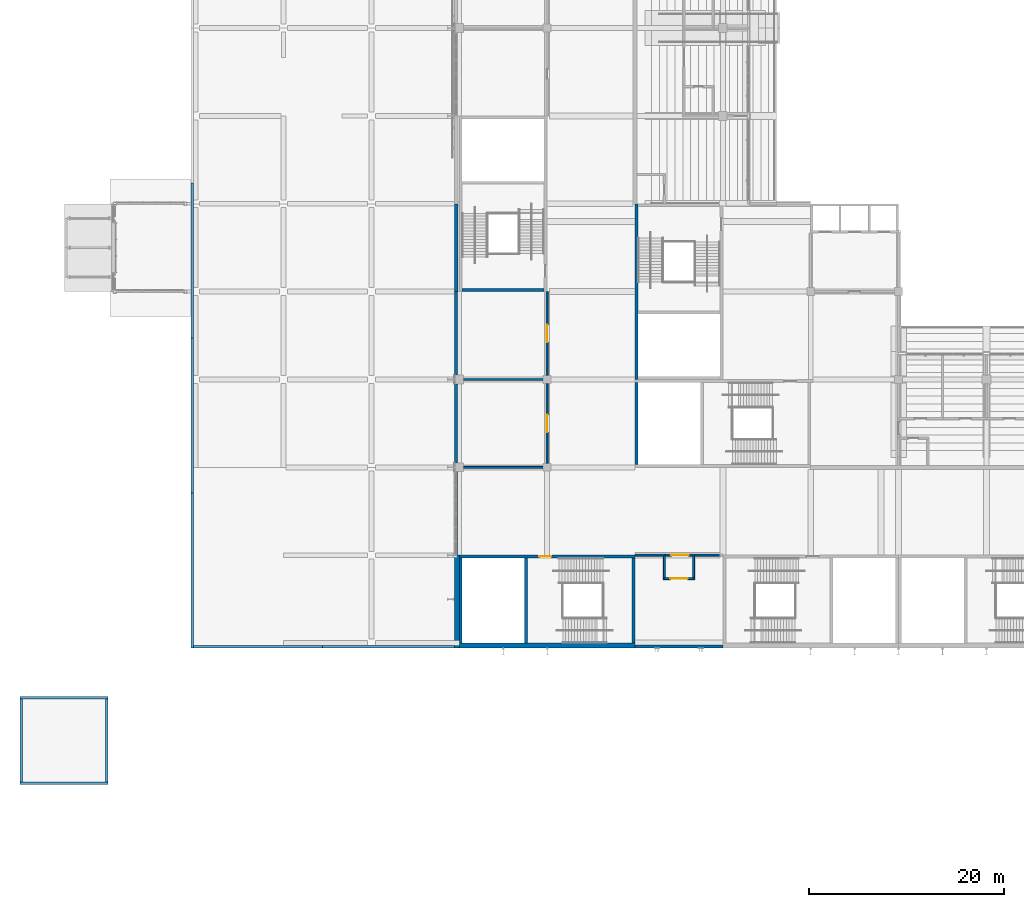
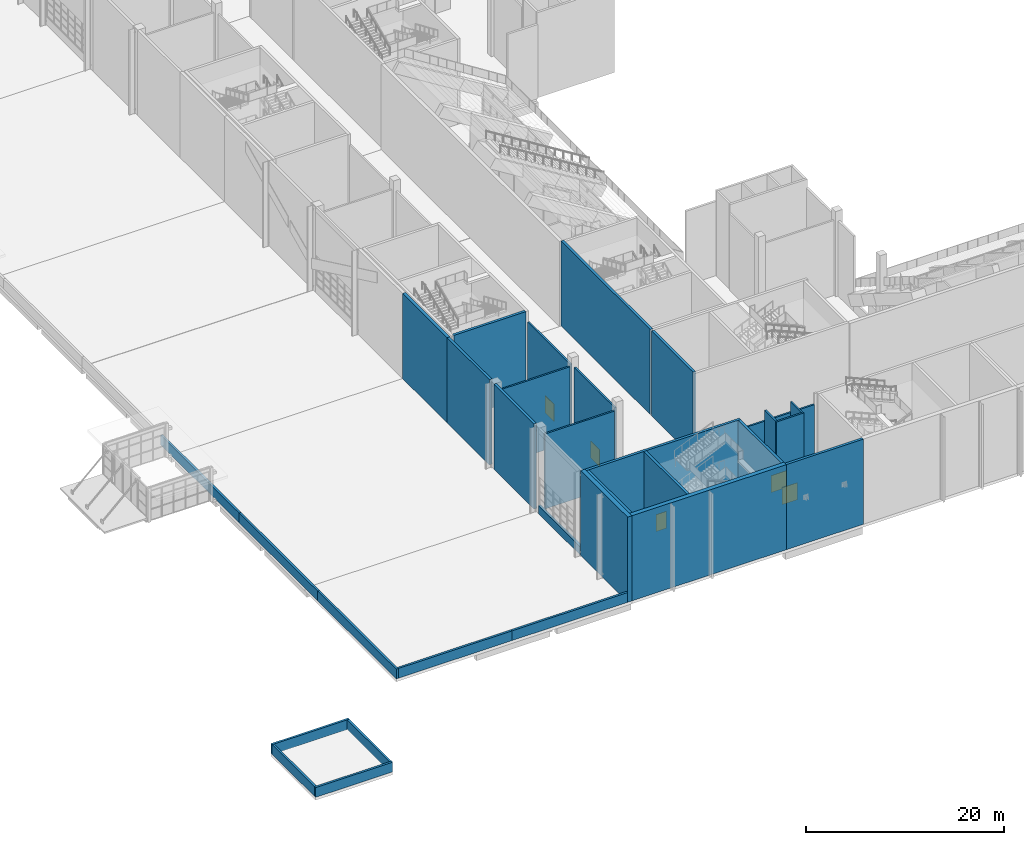
# One storey, part 80 of 182: 33 walls, 5 doors, 5 openings.
"""IFC4 building model written with IfcOpenShell, lengths in metres."""

from ifc_helpers import new_model, si_unit, direction, frame, frame_2d, origin, place, context, subcontext, project, spatial, rectangle, extrude, material, layer, layer_set, type_object, element, fill, save


model = new_model("IFC4")

# Units and contexts
model_context = context("Model", 3, precision=1e-05, world=origin(), true_north=direction((0.0, 1.0)))
body_context = subcontext(model_context, "Body", "Model", "MODEL_VIEW")
ifc_project = project(units=[si_unit("LENGTHUNIT", "METRE"), si_unit("AREAUNIT", "SQUARE_METRE"), si_unit("VOLUMEUNIT", "CUBIC_METRE"), si_unit("PLANEANGLEUNIT", "RADIAN"), si_unit("MASSUNIT", "GRAM", prefix="KILO")], contexts=[model_context])

# Site, building, storey
site_placement = place(None, origin())
site = spatial("IfcSite", under=ifc_project, at=site_placement, CompositionType="ELEMENT")
building_placement = place(site_placement, origin())
building = spatial("IfcBuilding", under=site, at=building_placement, Name="Silverbay Arena", CompositionType="ELEMENT")
storey_placement = place(building_placement, frame((0.0, 0.0, 11.5)))
storey = spatial("IfcBuildingStorey", under=building, at=storey_placement, Name="L02", CompositionType="ELEMENT", Elevation=11.5)

# Walls
ifc_material_1 = material(Name="Concrete Grade C45 precast, light finish", Category="concrete")
ifc_layer_1 = layer(ifc_material_1, 0.300048828125)
ifc_layer_set_1 = layer_set([ifc_layer_1], Name="Concrete Grade C45 precast, light finish")
wall_type_1 = type_object("IfcWallType", Name="Cladded external wall 300", PredefinedType="SOLIDWALL", material=ifc_layer_set_1)
wall_1_placement = place(storey_placement, frame((53.64990234375, 35.550048828125, 0.0), z_axis=(0.0, 0.0, 1.0), x_axis=(0.0, -1.0, 0.0)))
element("IfcWall", 1, at=wall_1_placement, inside=storey, type_object=wall_type_1, Name="West sill wall L02 bay 2", PredefinedType="SOLIDWALL", context=body_context, shape_type="SweptSolid", body=[
    extrude(rectangle(XDim=8.550048828125, YDim=0.300048828125, at=frame_2d((4.27490234375, 0.0))), origin(), (0.0, 0.0, 1.0), 1.0),
])
wall_2_placement = place(storey_placement, frame((53.64990234375, 44.550048828125, 0.0), z_axis=(0.0, 0.0, 1.0), x_axis=(0.0, -1.0, 0.0)))
element("IfcWall", 2, at=wall_2_placement, inside=storey, type_object=wall_type_1, Name="West external wall L02 bay 3", PredefinedType="SOLIDWALL", context=body_context, shape_type="SweptSolid", body=[
    extrude(rectangle(XDim=8.10009765625, YDim=0.300048828125, at=frame_2d((4.050048828125, 0.0))), origin(), (0.0, 0.0, 1.0), 10.5),
])
wall_3_placement = place(storey_placement, frame((53.64990234375, 54.0, 0.0), z_axis=(0.0, 0.0, 1.0), x_axis=(0.0, -1.0, 0.0)))
element("IfcWall", 3, at=wall_3_placement, inside=storey, type_object=wall_type_1, Name="West external wall L02 bay 4", PredefinedType="SOLIDWALL", context=body_context, shape_type="SweptSolid", body=[
    extrude(rectangle(XDim=8.550048828125, YDim=0.300048828125, at=frame_2d((4.27490234375, 0.0))), origin(), (0.0, 0.0, 1.0), 10.5),
])
ifc_material_2 = material(Name="Concrete Grade C45 precast, light finish", Category="concrete")
ifc_layer_2 = layer(ifc_material_2, 0.300048828125)
ifc_layer_set_2 = layer_set([ifc_layer_2], Name="Concrete Grade C45 precast, light finish")
wall_type_2 = type_object("IfcWallType", Name="Cladded external wall 300 EI 120", PredefinedType="SOLIDWALL", material=ifc_layer_set_2)
wall_4_placement = place(storey_placement, frame((72.0, 17.64990234375, 0.0), z_axis=(0.0, 0.0, 1.0), x_axis=(1.0, 0.0, 0.0)))
element("IfcWall", 4, at=wall_4_placement, inside=storey, type_object=wall_type_2, Name="South external wall L02 bay 3", PredefinedType="SOLIDWALL", context=body_context, shape_type="SweptSolid", body=[
    extrude(rectangle(XDim=9.0, YDim=0.300048828125, at=frame_2d((4.5, 0.0))), origin(), (0.0, 0.0, 1.0), 10.5),
])

# Wall, opening, door
ifc_material_3 = material(Name="Concrete Grade C45", Category="concrete")
ifc_layer_3 = layer(ifc_material_3, 0.300048828125)
ifc_layer_set_3 = layer_set([ifc_layer_3], Name="Concrete Grade C45")
wall_type_3 = type_object("IfcWallType", Name="Core wall RC 300 EI 120", PredefinedType="SHEAR", material=ifc_layer_set_3)
wall_5_placement = place(storey_placement, frame((72.0, 26.85009765625, 0.0), z_axis=(0.0, 0.0, 1.0), x_axis=(-1.0, 0.0, 0.0)))
wall_5 = element("IfcWall", 5, at=wall_5_placement, inside=storey, type_object=wall_type_3, Name="Core wall ST-S5 L02 door side", PredefinedType="SHEAR", context=body_context, shape_type="SweptSolid", body=[
    extrude(rectangle(XDim=18.0, YDim=0.300048828125, at=frame_2d((9.0, 0.0))), origin(), (0.0, 0.0, 1.0), 10.5),
])
opening_1_placement = place(wall_5_placement, frame((8.60009765625, 0.0, 0.0)))
opening_1 = element("IfcOpeningElement", 6, at=opening_1_placement, cuts=wall_5, Name="Opening L02-083", PredefinedType="OPENING", context=body_context, shape_type="SweptSolid", body=[
    extrude(rectangle(XDim=1.199951171875, YDim=2.10009765625, at=frame_2d((0.60009765625, 1.050048828125))), frame((0.0, 0.16015625, 0.0), z_axis=(0.0, -1.0, 0.0), x_axis=(1.0, 0.0, 0.0)), (0.0, 0.0, 1.0), 0.320068359375),
])
ifc_material_4 = material(Name="Steel fire door", Category="steel")
door_type_1 = type_object("IfcDoorType", Name="Stair door 1200 x 2100 fire door", OperationType="SINGLE_SWING_LEFT", PredefinedType="DOOR", material=ifc_material_4)
door_1_placement = place(opening_1_placement, origin())
door_1 = element("IfcDoor", 7, at=door_1_placement, inside=storey, type_object=door_type_1, Name="Stair door ST-S5 L02", OperationType="SINGLE_SWING_RIGHT", OverallHeight=2.10009765625, OverallWidth=1.199951171875, PredefinedType="DOOR", context=body_context, shape_type="SweptSolid", body=[
    extrude(rectangle(XDim=1.199951171875, YDim=2.10009765625, at=frame_2d((0.60009765625, 1.050048828125))), frame((0.0, 0.02490234375, 0.0), z_axis=(0.0, -1.0, 0.0), x_axis=(1.0, 0.0, 0.0)), (0.0, 0.0, 1.0), 0.050048828125),
])
fill(opening_1, door_1)

# Walls
for number, where, z_axis, x_axis, name in (
    (8, (71.85009765625, 26.699951171875, 0.0), (0.0, 0.0, 1.0), (0.0, -1.0, 0.0), "Core wall ST-S5 L02 end 1"),
    (9, (54.14990234375, 26.699951171875, 0.0), (0.0, 0.0, 1.0), (0.0, -1.0, 0.0), "Core wall ST-S5 L02 end 2"),
    (10, (60.85009765625, 26.699951171875, 0.0), (0.0, 0.0, 1.0), (0.0, -1.0, 0.0), "Core wall ST-S5 L02 stair enclosure"),
):
    element("IfcWall", number, at=place(storey_placement, frame(where, z_axis=z_axis, x_axis=x_axis)), inside=storey, type_object=wall_type_3, Name=name, PredefinedType="SHEAR", context=body_context, shape_type="SweptSolid", body=[
        extrude(rectangle(XDim=8.699951171875, YDim=0.300048828125, at=frame_2d((4.35009765625, 0.0))), origin(), (0.0, 0.0, 1.0), 10.5),
    ])
for number, where, z_axis, x_axis, name in (
    (11, (62.699951171875, 54.14990234375, 0.0), (0.0, 0.0, 1.0), (-1.0, 0.0, 0.0), "Core wall ST-W1 L02 end 1"),
    (12, (72.14990234375, 44.699951171875, 0.0), (0.0, 0.0, 1.0), (0.0, -1.0, 0.0), "Core wall ST-SW1 L02 end 2"),
):
    element("IfcWall", number, at=place(storey_placement, frame(where, z_axis=z_axis, x_axis=x_axis)), inside=storey, type_object=wall_type_3, Name=name, PredefinedType="SHEAR", context=body_context, shape_type="SweptSolid", body=[
        extrude(rectangle(XDim=8.39990234375, YDim=0.300048828125, at=frame_2d((4.199951171875, 0.0))), origin(), (0.0, 0.0, 1.0), 10.5),
    ])
wall_6_placement = place(storey_placement, frame((72.14990234375, 63.0, 0.0), z_axis=(0.0, 0.0, 1.0), x_axis=(0.0, -1.0, 0.0)))
element("IfcWall", 13, at=wall_6_placement, inside=storey, type_object=wall_type_3, Name="Core wall ST-SW2 L02 far side", PredefinedType="SHEAR", context=body_context, shape_type="SweptSolid", body=[
    extrude(rectangle(XDim=18.0, YDim=0.300048828125, at=frame_2d((9.0, 0.0))), origin(), (0.0, 0.0, 1.0), 10.5),
])
ifc_material_5 = material(Name="Concrete Grade C45", Category="concrete")
ifc_layer_4 = layer(ifc_material_5, 0.5)
ifc_layer_set_4 = layer_set([ifc_layer_4], Name="Concrete Grade C45")
wall_type_4 = type_object("IfcWallType", Name="Core wall RC 500 external EI 120", PredefinedType="SHEAR", material=ifc_layer_set_4)
wall_7_placement = place(storey_placement, frame((72.0, 17.75, 0.0), z_axis=(0.0, 0.0, 1.0), x_axis=(-1.0, 0.0, 0.0)))
element("IfcWall", 14, at=wall_7_placement, inside=storey, type_object=wall_type_4, Name="Core wall ST-S5 L02 facade side", PredefinedType="SHEAR", context=body_context, shape_type="SweptSolid", body=[
    extrude(rectangle(XDim=18.0, YDim=0.5, at=frame_2d((9.0, 0.0))), origin(), (0.0, 0.0, 1.0), 10.5),
])
ifc_material_6 = material(Name="Concrete Grade C45", Category="concrete")
ifc_layer_5 = layer(ifc_material_6, 0.25)
ifc_layer_set_5 = layer_set([ifc_layer_5], Name="Concrete Grade C45")
wall_type_5 = type_object("IfcWallType", Name="Parapet wall 250", PredefinedType="PARAPET", material=ifc_layer_set_5)
wall_8_placement = place(storey_placement, frame((26.75, 17.625, 0.0), z_axis=(0.0, 0.0, 1.0), x_axis=(1.0, 0.0, 0.0)))
element("IfcWall", 15, at=wall_8_placement, inside=storey, type_object=wall_type_5, Name="West wing parapet 1", PredefinedType="PARAPET", context=body_context, shape_type="SweptSolid", body=[
    extrude(rectangle(XDim=13.25, YDim=0.25, at=frame_2d((6.625, 0.0))), origin(), (0.0, 0.0, 1.0), 1.199951171875),
])
wall_9_placement = place(storey_placement, frame((40.0, 17.625, 0.0), z_axis=(0.0, 0.0, 1.0), x_axis=(1.0, 0.0, 0.0)))
element("IfcWall", 16, at=wall_9_placement, inside=storey, type_object=wall_type_5, Name="West wing parapet 2", PredefinedType="PARAPET", context=body_context, shape_type="SweptSolid", body=[
    extrude(rectangle(XDim=13.5, YDim=0.25, at=frame_2d((6.75, 0.0))), origin(), (0.0, 0.0, 1.0), 1.199951171875),
])
for number, where, z_axis, x_axis, name in (
    (17, (26.625, 65.125, 0.0), (0.0, 0.0, 1.0), (0.0, -1.0, 0.0), "West wing parapet 10"),
    (18, (26.625, 49.25, 0.0), (0.0, 0.0, 1.0), (0.0, -1.0, 0.0), "West wing parapet 11"),
    (19, (26.625, 33.375, 0.0), (0.0, 0.0, 1.0), (0.0, -1.0, 0.0), "West wing parapet 12"),
):
    element("IfcWall", number, at=place(storey_placement, frame(where, z_axis=z_axis, x_axis=x_axis)), inside=storey, type_object=wall_type_5, Name=name, PredefinedType="PARAPET", context=body_context, shape_type="SweptSolid", body=[
        extrude(rectangle(XDim=15.875, YDim=0.25, at=frame_2d((7.9375, 0.0))), origin(), (0.0, 0.0, 1.0), 1.199951171875),
    ])
wall_10_placement = place(storey_placement, frame((9.0, 3.625, 0.0), z_axis=(0.0, 0.0, 1.0), x_axis=(1.0, 0.0, 0.0)))
element("IfcWall", 20, at=wall_10_placement, inside=storey, type_object=wall_type_5, Name="Pavilion roof parapet", PredefinedType="PARAPET", context=body_context, shape_type="SweptSolid", body=[
    extrude(rectangle(XDim=9.0, YDim=0.25, at=frame_2d((4.5, 0.0))), origin(), (0.0, 0.0, 1.0), 1.199951171875),
])
wall_11_placement = place(storey_placement, frame((17.875, 3.75, 0.0), z_axis=(0.0, 0.0, 1.0), x_axis=(0.0, 1.0, 0.0)))
element("IfcWall", 21, at=wall_11_placement, inside=storey, type_object=wall_type_5, Name="Pavilion roof parapet", PredefinedType="PARAPET", context=body_context, shape_type="SweptSolid", body=[
    extrude(rectangle(XDim=8.5, YDim=0.25, at=frame_2d((4.25, 0.0))), origin(), (0.0, 0.0, 1.0), 1.199951171875),
])
wall_12_placement = place(storey_placement, frame((18.0, 12.375, 0.0), z_axis=(0.0, 0.0, 1.0), x_axis=(-1.0, 0.0, 0.0)))
element("IfcWall", 22, at=wall_12_placement, inside=storey, type_object=wall_type_5, Name="Pavilion roof parapet", PredefinedType="PARAPET", context=body_context, shape_type="SweptSolid", body=[
    extrude(rectangle(XDim=9.0, YDim=0.25, at=frame_2d((4.5, 0.0))), origin(), (0.0, 0.0, 1.0), 1.199951171875),
])
wall_13_placement = place(storey_placement, frame((9.125, 12.25, 0.0), z_axis=(0.0, 0.0, 1.0), x_axis=(0.0, -1.0, 0.0)))
element("IfcWall", 23, at=wall_13_placement, inside=storey, type_object=wall_type_5, Name="Pavilion roof parapet", PredefinedType="PARAPET", context=body_context, shape_type="SweptSolid", body=[
    extrude(rectangle(XDim=8.5, YDim=0.25, at=frame_2d((4.25, 0.0))), origin(), (0.0, 0.0, 1.0), 1.199951171875),
])

# Wall, opening, door
ifc_material_7 = material(Name="Masonry blockwork partition", Category="masonry")
ifc_layer_6 = layer(ifc_material_7, 0.199951171875)
ifc_layer_set_6 = layer_set([ifc_layer_6], Name="Masonry blockwork partition")
wall_type_6 = type_object("IfcWallType", Name="Partition 200 EI 120", PredefinedType="PARTITIONING", material=ifc_layer_set_6)
wall_14_placement = place(storey_placement, frame((74.89990234375, 24.60009765625, 0.0), z_axis=(0.0, 0.0, 1.0), x_axis=(1.0, 0.0, 0.0)))
wall_14 = element("IfcWall", 24, at=wall_14_placement, inside=storey, type_object=wall_type_6, Name="Partition wall", PredefinedType="PARTITIONING", context=body_context, shape_type="SweptSolid", body=[
    extrude(rectangle(XDim=3.2001953125, YDim=0.199951171875, at=frame_2d((1.60009765625, 0.0))), origin(), (0.0, 0.0, 1.0), 10.5),
])
opening_2_placement = place(wall_14_placement, frame((0.699951171875, 0.0, 0.0)))
opening_2 = element("IfcOpeningElement", 25, at=opening_2_placement, cuts=wall_14, Name="Opening L02-001", PredefinedType="OPENING", context=body_context, shape_type="SweptSolid", body=[
    extrude(rectangle(XDim=1.800048828125, YDim=2.10009765625, at=frame_2d((0.89990234375, 1.050048828125))), frame((0.0, 0.10986328125, 0.0), z_axis=(0.0, -1.0, 0.0), x_axis=(1.0, 0.0, 0.0)), (0.0, 0.0, 1.0), 0.219970703125),
])
ifc_material_8 = material(Name="Steel faced timber", Category="steel")
door_type_2 = type_object("IfcDoorType", Name="Double leaf door 1800 x 2100 FD120", OperationType="DOUBLE_DOOR_DOUBLE_SWING", PredefinedType="DOOR", material=ifc_material_8)
door_2_placement = place(opening_2_placement, frame((1.800048828125, 0.0, 0.0), z_axis=(0.0, 0.0, 1.0), x_axis=(-1.0, 0.0, 0.0)))
door_2 = element("IfcDoor", 26, at=door_2_placement, inside=storey, type_object=door_type_2, Name="Door L02-001", OperationType="DOUBLE_DOOR_DOUBLE_SWING", OverallHeight=2.10009765625, OverallWidth=1.800048828125, PredefinedType="DOOR", context=body_context, shape_type="SweptSolid", body=[
    extrude(rectangle(XDim=1.800048828125, YDim=2.10009765625, at=frame_2d((0.89990234375, 1.050048828125))), frame((0.0, 0.02490234375, 0.0), z_axis=(0.0, -1.0, 0.0), x_axis=(1.0, 0.0, 0.0)), (0.0, 0.0, 1.0), 0.050048828125),
])
fill(opening_2, door_2)

# Wall
wall_15_placement = place(storey_placement, frame((72.0, 27.0, 0.0), z_axis=(0.0, 0.0, 1.0), x_axis=(1.0, 0.0, 0.0)))
element("IfcWall", 27, at=wall_15_placement, inside=storey, type_object=wall_type_6, Name="Partition wall", PredefinedType="PARTITIONING", context=body_context, shape_type="SweptSolid", body=[
    extrude(rectangle(XDim=3.10009765625, YDim=0.199951171875, at=frame_2d((1.550048828125, 0.0))), origin(), (0.0, 0.0, 1.0), 9.14990234375),
])

# Wall, opening, door
wall_16_placement = place(storey_placement, frame((75.10009765625, 27.0, 0.0), z_axis=(0.0, 0.0, 1.0), x_axis=(1.0, 0.0, 0.0)))
wall_16 = element("IfcWall", 28, at=wall_16_placement, inside=storey, type_object=wall_type_6, Name="Partition wall", PredefinedType="PARTITIONING", context=body_context, shape_type="SweptSolid", body=[
    extrude(rectangle(XDim=3.0, YDim=0.199951171875, at=frame_2d((1.5, 0.0))), origin(), (0.0, 0.0, 1.0), 9.14990234375),
])
opening_3_placement = place(wall_16_placement, frame((0.60009765625, 0.0, 0.0)))
opening_3 = element("IfcOpeningElement", 29, at=opening_3_placement, cuts=wall_16, Name="Opening L02-065", PredefinedType="OPENING", context=body_context, shape_type="SweptSolid", body=[
    extrude(rectangle(XDim=1.800048828125, YDim=2.10009765625, at=frame_2d((0.89990234375, 1.050048828125))), frame((0.0, 0.10986328125, 0.0), z_axis=(0.0, -1.0, 0.0), x_axis=(1.0, 0.0, 0.0)), (0.0, 0.0, 1.0), 0.219970703125),
])
door_3_placement = place(opening_3_placement, origin())
door_3 = element("IfcDoor", 30, at=door_3_placement, inside=storey, type_object=door_type_2, Name="Door L02-065", OperationType="DOUBLE_DOOR_DOUBLE_SWING", OverallHeight=2.10009765625, OverallWidth=1.800048828125, PredefinedType="DOOR", context=body_context, shape_type="SweptSolid", body=[
    extrude(rectangle(XDim=1.800048828125, YDim=2.10009765625, at=frame_2d((0.89990234375, 1.050048828125))), frame((0.0, 0.02490234375, 0.0), z_axis=(0.0, -1.0, 0.0), x_axis=(1.0, 0.0, 0.0)), (0.0, 0.0, 1.0), 0.050048828125),
])
fill(opening_3, door_3)

# Walls
wall_17_placement = place(storey_placement, frame((78.10009765625, 27.0, 0.0), z_axis=(0.0, 0.0, 1.0), x_axis=(1.0, 0.0, 0.0)))
element("IfcWall", 31, at=wall_17_placement, inside=storey, type_object=wall_type_6, Name="Partition wall", PredefinedType="PARTITIONING", context=body_context, shape_type="SweptSolid", body=[
    extrude(rectangle(XDim=2.599853515625, YDim=0.199951171875, at=frame_2d((1.2998046875, 0.0))), origin(), (0.0, 0.0, 1.0), 9.14990234375),
])
for number, where, z_axis, x_axis, name in (
    (32, (75.0, 24.699951171875, 0.0), (0.0, 0.0, 1.0), (0.0, 1.0, 0.0), "Partition wall"),
    (33, (78.0, 24.699951171875, 0.0), (0.0, 0.0, 1.0), (0.0, 1.0, 0.0), "Partition wall"),
):
    element("IfcWall", number, at=place(storey_placement, frame(where, z_axis=z_axis, x_axis=x_axis)), inside=storey, type_object=wall_type_6, Name=name, PredefinedType="PARTITIONING", context=body_context, shape_type="SweptSolid", body=[
        extrude(rectangle(XDim=2.199951171875, YDim=0.199951171875, at=frame_2d((1.10009765625, 0.0))), origin(), (0.0, 0.0, 1.0), 10.5),
    ])
ifc_material_9 = material(Name="Gypsum board partition on steel studs", Category="steel")
ifc_layer_7 = layer(ifc_material_9, 0.199951171875)
ifc_layer_set_7 = layer_set([ifc_layer_7], Name="Gypsum board partition on steel studs")
wall_type_7 = type_object("IfcWallType", Name="Partition 200 EI 60", PredefinedType="PARTITIONING", material=ifc_layer_set_7)
for number, where, z_axis, x_axis, name in (
    (34, (54.449951171875, 36.0, 0.0), (0.0, 0.0, 1.0), (1.0, 0.0, 0.0), "Partition wall"),
    (35, (54.449951171875, 45.0, 0.0), (0.0, 0.0, 1.0), (1.0, 0.0, 0.0), "Partition wall"),
):
    element("IfcWall", number, at=place(storey_placement, frame(where, z_axis=z_axis, x_axis=x_axis)), inside=storey, type_object=wall_type_7, Name=name, PredefinedType="PARTITIONING", context=body_context, shape_type="SweptSolid", body=[
        extrude(rectangle(XDim=8.150146484375, YDim=0.199951171875, at=frame_2d((4.0751953125, 0.0))), origin(), (0.0, 0.0, 1.0), 9.25),
    ])

# Wall, opening, door
wall_18_placement = place(storey_placement, frame((63.0, 36.39990234375, 0.0), z_axis=(0.0, 0.0, 1.0), x_axis=(0.0, 1.0, 0.0)))
wall_18 = element("IfcWall", 36, at=wall_18_placement, inside=storey, type_object=wall_type_7, Name="Partition wall", PredefinedType="PARTITIONING", context=body_context, shape_type="SweptSolid", body=[
    extrude(rectangle(XDim=8.2001953125, YDim=0.199951171875, at=frame_2d((4.10009765625, 0.0))), origin(), (0.0, 0.0, 1.0), 9.25),
])
opening_4_placement = place(wall_18_placement, frame((3.199951171875, 0.0, 0.0)))
opening_4 = element("IfcOpeningElement", 37, at=opening_4_placement, cuts=wall_18, Name="Opening L02-007", PredefinedType="OPENING", context=body_context, shape_type="SweptSolid", body=[
    extrude(rectangle(XDim=1.800048828125, YDim=2.10009765625, at=frame_2d((0.89990234375, 1.050048828125))), frame((0.0, 0.10986328125, 0.0), z_axis=(0.0, -1.0, 0.0), x_axis=(1.0, 0.0, 0.0)), (0.0, 0.0, 1.0), 0.219970703125),
])
ifc_material_10 = material(Name="Steel faced timber", Category="steel")
door_type_3 = type_object("IfcDoorType", Name="Double leaf door 1800 x 2100 FD30S", OperationType="DOUBLE_DOOR_DOUBLE_SWING", PredefinedType="DOOR", material=ifc_material_10)
door_4_placement = place(opening_4_placement, origin())
door_4 = element("IfcDoor", 38, at=door_4_placement, inside=storey, type_object=door_type_3, Name="Door L02-007", OperationType="DOUBLE_DOOR_DOUBLE_SWING", OverallHeight=2.10009765625, OverallWidth=1.800048828125, PredefinedType="DOOR", context=body_context, shape_type="SweptSolid", body=[
    extrude(rectangle(XDim=1.800048828125, YDim=2.10009765625, at=frame_2d((0.89990234375, 1.050048828125))), frame((0.0, 0.02490234375, 0.0), z_axis=(0.0, -1.0, 0.0), x_axis=(1.0, 0.0, 0.0)), (0.0, 0.0, 1.0), 0.050048828125),
])
fill(opening_4, door_4)

wall_19_placement = place(storey_placement, frame((63.0, 45.39990234375, 0.0), z_axis=(0.0, 0.0, 1.0), x_axis=(0.0, 1.0, 0.0)))
wall_19 = element("IfcWall", 39, at=wall_19_placement, inside=storey, type_object=wall_type_7, Name="Partition wall", PredefinedType="PARTITIONING", context=body_context, shape_type="SweptSolid", body=[
    extrude(rectangle(XDim=8.60009765625, YDim=0.199951171875, at=frame_2d((4.300048828125, 0.0))), origin(), (0.0, 0.0, 1.0), 9.14990234375),
])
opening_5_placement = place(wall_19_placement, frame((3.39990234375, 0.0, 0.0)))
opening_5 = element("IfcOpeningElement", 40, at=opening_5_placement, cuts=wall_19, Name="Opening L02-008", PredefinedType="OPENING", context=body_context, shape_type="SweptSolid", body=[
    extrude(rectangle(XDim=1.800048828125, YDim=2.10009765625, at=frame_2d((0.89990234375, 1.050048828125))), frame((0.0, 0.10986328125, 0.0), z_axis=(0.0, -1.0, 0.0), x_axis=(1.0, 0.0, 0.0)), (0.0, 0.0, 1.0), 0.219970703125),
])
door_5_placement = place(opening_5_placement, origin())
door_5 = element("IfcDoor", 41, at=door_5_placement, inside=storey, type_object=door_type_3, Name="Door L02-008", OperationType="DOUBLE_DOOR_DOUBLE_SWING", OverallHeight=2.10009765625, OverallWidth=1.800048828125, PredefinedType="DOOR", context=body_context, shape_type="SweptSolid", body=[
    extrude(rectangle(XDim=1.800048828125, YDim=2.10009765625, at=frame_2d((0.89990234375, 1.050048828125))), frame((0.0, 0.02490234375, 0.0), z_axis=(0.0, -1.0, 0.0), x_axis=(1.0, 0.0, 0.0)), (0.0, 0.0, 1.0), 0.050048828125),
])
fill(opening_5, door_5)

# Walls
ifc_material_11 = material(Name="Concrete Grade C45", Category="concrete")
ifc_layer_8 = layer(ifc_material_11, 0.35009765625)
ifc_layer_set_8 = layer_set([ifc_layer_8], Name="Concrete Grade C45")
wall_type_8 = type_object("IfcWallType", Name="Stair core facade wall 350", PredefinedType="SOLIDWALL", material=ifc_layer_set_8)
wall_20_placement = place(storey_placement, frame((53.675048828125, 63.0, 0.0), z_axis=(0.0, 0.0, 1.0), x_axis=(0.0, -1.0, 0.0)))
element("IfcWall", 42, at=wall_20_placement, inside=storey, type_object=wall_type_8, Name="West external wall L02 bay 5", PredefinedType="SOLIDWALL", context=body_context, shape_type="SweptSolid", body=[
    extrude(rectangle(XDim=9.0, YDim=0.35009765625, at=frame_2d((4.5, 0.0))), origin(), (0.0, 0.0, 1.0), 10.5),
])
ifc_material_12 = material(Name="Concrete Grade C45", Category="concrete")
ifc_layer_9 = layer(ifc_material_12, 0.5)
ifc_layer_set_9 = layer_set([ifc_layer_9], Name="Concrete Grade C45")
wall_type_9 = type_object("IfcWallType", Name="Stair core facade wall 500", PredefinedType="SOLIDWALL", material=ifc_layer_set_9)
wall_21_placement = place(storey_placement, frame((53.75, 27.0, 0.0), z_axis=(0.0, 0.0, 1.0), x_axis=(0.0, -1.0, 0.0)))
element("IfcWall", 43, at=wall_21_placement, inside=storey, type_object=wall_type_9, Name="West stair core facade wall L02 bay 1", PredefinedType="SOLIDWALL", context=body_context, shape_type="SweptSolid", body=[
    extrude(rectangle(XDim=9.5, YDim=0.5, at=frame_2d((4.75, 0.0))), origin(), (0.0, 0.0, 1.0), 10.5),
])

save(model, "model.ifc")
